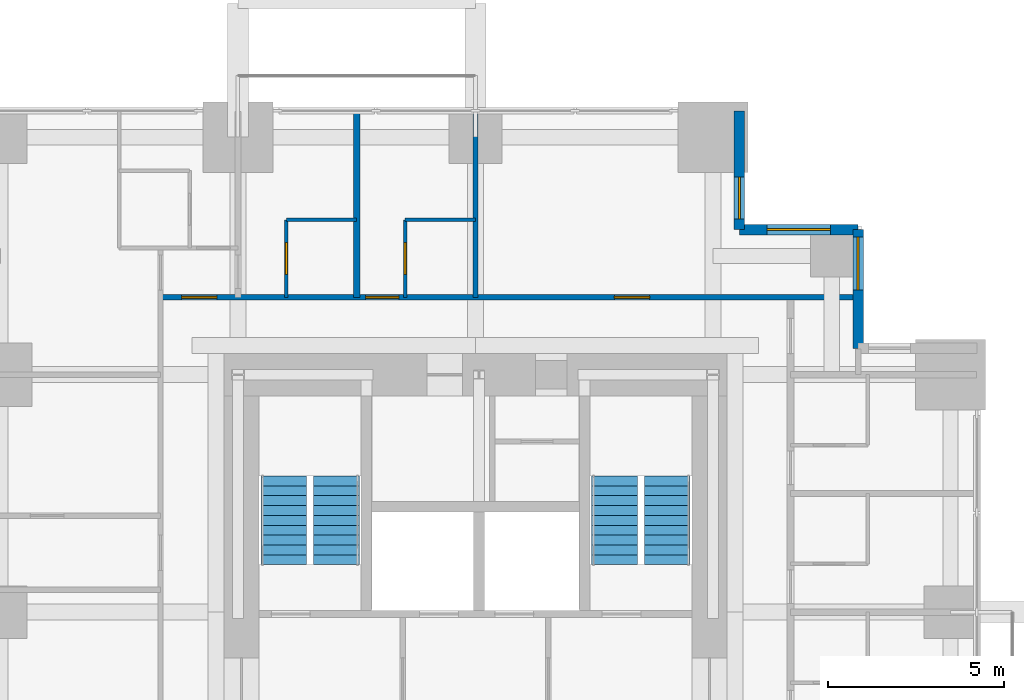
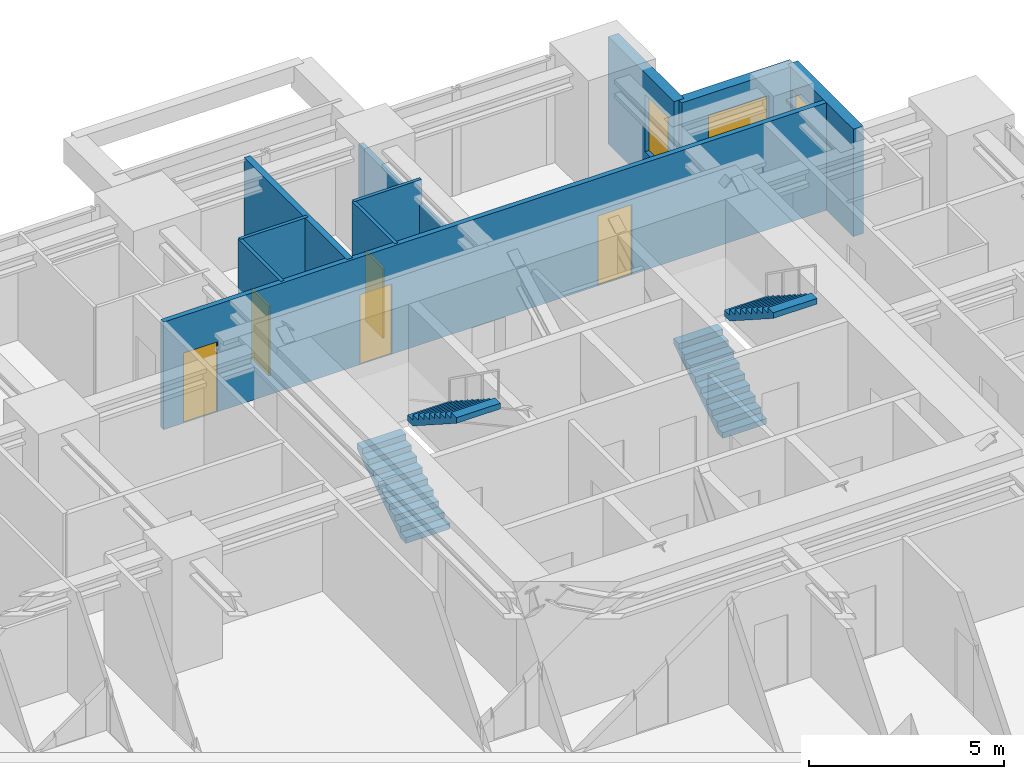
# One storey, part 9 of 10: 10 walls, 5 doors, 4 stair flights, 3 windows, 8 openings, 2 elements without a shape of their own.
"""IFC4 building model written with IfcOpenShell, lengths in metres."""

from ifc_helpers import new_model, si_unit, direction, frame, frame_2d, origin, place, context, subcontext, project, spatial, polyline, rectangle, outline, extrude, material, layer, layer_set, type_object, element, fill, aggregate, save


model = new_model("IFC4")

# Units and contexts
model_context = context("Model", 3, precision=1e-05, world=origin(), true_north=direction((0.0, 1.0)))
body_context = subcontext(model_context, "Body", "Model", "MODEL_VIEW")
ifc_project = project(units=[si_unit("LENGTHUNIT", "METRE"), si_unit("AREAUNIT", "SQUARE_METRE"), si_unit("VOLUMEUNIT", "CUBIC_METRE"), si_unit("PLANEANGLEUNIT", "RADIAN"), si_unit("MASSUNIT", "GRAM", prefix="KILO")], contexts=[model_context])

# Site, building, storey
site_placement = place(None, origin())
site = spatial("IfcSite", under=ifc_project, at=site_placement, CompositionType="ELEMENT")
building_placement = place(site_placement, origin())
building = spatial("IfcBuilding", under=site, at=building_placement, Name="Nyansa Garden Tower", CompositionType="ELEMENT")
storey_placement = place(building_placement, frame((0.0, 0.0, 145.800048828125)))
storey = spatial("IfcBuildingStorey", under=building, at=storey_placement, Name="L39", CompositionType="ELEMENT", Elevation=145.800048828125)

# Wall
ifc_material_1 = material(Name="Dense blockwork, plastered both sides, 55 dB", Category="masonry")
ifc_layer_1 = layer(ifc_material_1, 0.175048828125)
ifc_layer_set_1 = layer_set([ifc_layer_1], Name="Acoustic party wall PW175")
wall_type_1 = type_object("IfcWallType", Name="Acoustic party wall PW175", PredefinedType="PARTITIONING", material=ifc_layer_set_1)
wall_1_placement = place(storey_placement, frame((16.875, 29.199951171875, 0.0), z_axis=(0.0, 0.0, 1.0), x_axis=(0.0, 1.0, 0.0)))
element("IfcWall", 1, at=wall_1_placement, inside=storey, type_object=wall_type_1, Name="Party wall", PredefinedType="PARTITIONING", context=body_context, shape_type="SweptSolid", body=[
    extrude(rectangle(XDim=5.283935546875, YDim=0.175048828125, at=frame_2d((2.64208984375, 0.0))), origin(), (0.0, 0.0, 1.0), 3.375),
])

# Wall, openings, doors
ifc_material_2 = material(Name="Blockwork, plastered both sides", Category="masonry")
ifc_layer_2 = layer(ifc_material_2, 0.14990234375)
ifc_layer_set_2 = layer_set([ifc_layer_2], Name="Partition PW150")
wall_type_2 = type_object("IfcWallType", Name="Partition PW150", PredefinedType="PARTITIONING", material=ifc_layer_set_2)
wall_2_placement = place(storey_placement, frame((11.300048828125, 29.199951171875, 0.0), z_axis=(0.0, 0.0, 1.0), x_axis=(1.0, 0.0, 0.0)))
wall_2 = element("IfcWall", 2, at=wall_2_placement, inside=storey, type_object=wall_type_2, Name="Partition", PredefinedType="PARTITIONING", context=body_context, shape_type="SweptSolid", body=[
    extrude(rectangle(XDim=19.808837890625, YDim=0.14990234375, at=frame_2d((9.904296875, 0.0))), origin(), (0.0, 0.0, 1.0), 3.375),
])
opening_1_placement = place(wall_2_placement, frame((12.89990234375, 0.0, 0.0)))
opening_1 = element("IfcOpeningElement", 3, at=opening_1_placement, cuts=wall_2, Name="Opening D03", PredefinedType="OPENING", context=body_context, shape_type="SweptSolid", body=[
    extrude(rectangle(XDim=1.0, YDim=2.199951171875, at=frame_2d((0.5, 1.10009765625))), frame((0.0, 0.0849609375, 0.0), z_axis=(0.0, -1.0, 0.0), x_axis=(1.0, 0.0, 0.0)), (0.0, 0.0, 1.0), 0.169921875),
])
opening_2_placement = place(wall_2_placement, frame((5.824951171875, 0.0, 0.0)))
opening_2 = element("IfcOpeningElement", 4, at=opening_2_placement, cuts=wall_2, Name="Opening D14", PredefinedType="OPENING", context=body_context, shape_type="SweptSolid", body=[
    extrude(rectangle(XDim=0.949951171875, YDim=2.199951171875, at=frame_2d((0.47509765625, 1.10009765625))), frame((0.0, 0.0849609375, 0.0), z_axis=(0.0, -1.0, 0.0), x_axis=(1.0, 0.0, 0.0)), (0.0, 0.0, 1.0), 0.169921875),
])
opening_3_placement = place(wall_2_placement, frame((0.60009765625, 0.0, 0.0)))
opening_3 = element("IfcOpeningElement", 5, at=opening_3_placement, cuts=wall_2, Name="Opening D03", PredefinedType="OPENING", context=body_context, shape_type="SweptSolid", body=[
    extrude(rectangle(XDim=1.0, YDim=2.199951171875, at=frame_2d((0.5, 1.10009765625))), frame((0.0, 0.0849609375, 0.0), z_axis=(0.0, -1.0, 0.0), x_axis=(1.0, 0.0, 0.0)), (0.0, 0.0, 1.0), 0.169921875),
])
ifc_material_3 = material(Name="Timber flush door, 60 minute fire resisting", Category="wood")
door_type_1 = type_object("IfcDoorType", Name="Cluster entrance door D03 1000x2200", OperationType="SINGLE_SWING_LEFT", PredefinedType="DOOR", material=ifc_material_3)
door_1_placement = place(opening_1_placement, origin())
door_1 = element("IfcDoor", 6, at=door_1_placement, inside=storey, type_object=door_type_1, Name="Door L39-037", OperationType="SINGLE_SWING_LEFT", OverallHeight=2.199951171875, OverallWidth=1.0, PredefinedType="DOOR", context=body_context, shape_type="SweptSolid", body=[
    extrude(rectangle(XDim=1.0, YDim=2.199951171875, at=frame_2d((0.5, 1.10009765625))), frame((0.0, 0.02490234375, 0.0), z_axis=(0.0, -1.0, 0.0), x_axis=(1.0, 0.0, 0.0)), (0.0, 0.0, 1.0), 0.050048828125),
])
fill(opening_1, door_1)
door_2_placement = place(opening_3_placement, origin())
door_2 = element("IfcDoor", 7, at=door_2_placement, inside=storey, type_object=door_type_1, Name="Door L39-044", OperationType="SINGLE_SWING_LEFT", OverallHeight=2.199951171875, OverallWidth=1.0, PredefinedType="DOOR", context=body_context, shape_type="SweptSolid", body=[
    extrude(rectangle(XDim=1.0, YDim=2.199951171875, at=frame_2d((0.5, 1.10009765625))), frame((0.0, 0.02490234375, 0.0), z_axis=(0.0, -1.0, 0.0), x_axis=(1.0, 0.0, 0.0)), (0.0, 0.0, 1.0), 0.050048828125),
])
fill(opening_3, door_2)
ifc_material_4 = material(Name="Timber flush door, 60 minute fire resisting, self-closing", Category="wood")
door_type_2 = type_object("IfcDoorType", Name="Studio entrance door D14 950x2200", OperationType="SINGLE_SWING_LEFT", PredefinedType="DOOR", material=ifc_material_4)
door_3_placement = place(opening_2_placement, origin())
door_3 = element("IfcDoor", 8, at=door_3_placement, inside=storey, type_object=door_type_2, Name="Door L39-042", OperationType="SINGLE_SWING_LEFT", OverallHeight=2.199951171875, OverallWidth=0.949951171875, PredefinedType="DOOR", context=body_context, shape_type="SweptSolid", body=[
    extrude(rectangle(XDim=0.949951171875, YDim=2.199951171875, at=frame_2d((0.47509765625, 1.10009765625))), frame((0.0, 0.02490234375, 0.0), z_axis=(0.0, -1.0, 0.0), x_axis=(1.0, 0.0, 0.0)), (0.0, 0.0, 1.0), 0.050048828125),
])
fill(opening_2, door_3)

# Wall
wall_3_placement = place(storey_placement, frame((20.25, 29.199951171875, 0.0), z_axis=(0.0, 0.0, 1.0), x_axis=(0.0, 1.0, 0.0)))
element("IfcWall", 9, at=wall_3_placement, inside=storey, type_object=wall_type_2, Name="Partition", PredefinedType="PARTITIONING", context=body_context, shape_type="SweptSolid", body=[
    extrude(rectangle(XDim=5.283935546875, YDim=0.14990234375, at=frame_2d((2.64208984375, 0.0))), origin(), (0.0, 0.0, 1.0), 2.60986328125),
])

# Wall, opening, window
ifc_material_5 = material(Name="Turquoise glazed tile on concrete blockwork", Category="masonry")
ifc_layer_3 = layer(ifc_material_5, 0.300048828125)
ifc_layer_set_3 = layer_set([ifc_layer_3], Name="Tiled corner wall TW300")
wall_type_3 = type_object("IfcWallType", Name="Tiled corner wall TW300", PredefinedType="SOLIDWALL", material=ifc_layer_set_3)
wall_4_placement = place(storey_placement, frame((31.125, 27.75, 0.0), z_axis=(0.0, 0.0, 1.0), x_axis=(0.0, 1.0, 0.0)))
wall_4 = element("IfcWall", 10, at=wall_4_placement, inside=storey, type_object=wall_type_3, Name="Tiled corner wall L39", PredefinedType="SOLIDWALL", context=body_context, shape_type="SweptSolid", body=[
    extrude(rectangle(XDim=3.375, YDim=0.300048828125, at=frame_2d((1.6875, 0.0))), origin(), (0.0, 0.0, 1.0), 3.375),
])
opening_4_placement = place(wall_4_placement, frame((1.66259765625, 0.0, 0.89990234375)))
opening_4 = element("IfcOpeningElement", 11, at=opening_4_placement, cuts=wall_4, Name="Opening W1", PredefinedType="OPENING", context=body_context, shape_type="SweptSolid", body=[
    extrude(rectangle(XDim=1.5, YDim=1.800048828125, at=frame_2d((0.75, 0.89990234375))), frame((0.0, 0.159912109375, 0.0), z_axis=(0.0, -1.0, 0.0), x_axis=(1.0, 0.0, 0.0)), (0.0, 0.0, 1.0), 0.320068359375),
])
ifc_material_6 = material(Name="Black aluminium frame, dark tinted double glazing", Category="aluminium")
window_type_1 = type_object("IfcWindowType", Name="Window W1 1500x1800", PartitioningType="SINGLE_PANEL", PredefinedType="WINDOW", material=ifc_material_6)
window_1_placement = place(opening_4_placement, origin())
window_1 = element("IfcWindow", 12, at=window_1_placement, inside=storey, type_object=window_type_1, Name="Corner window L39", OverallHeight=1.800048828125, OverallWidth=1.5, PartitioningType="SINGLE_PANEL", PredefinedType="WINDOW", context=body_context, shape_type="SweptSolid", body=[
    extrude(rectangle(XDim=1.5, YDim=1.800048828125, at=frame_2d((0.75, 0.89990234375))), frame((0.0, 0.030029296875, 0.0), z_axis=(0.0, -1.0, 0.0), x_axis=(1.0, 0.0, 0.0)), (0.0, 0.0, 1.0), 0.06005859375),
])
fill(opening_4, window_1)

wall_5_placement = place(storey_placement, frame((31.125, 31.125, 0.0), z_axis=(0.0, 0.0, 1.0), x_axis=(-1.0, 0.0, 0.0)))
wall_5 = element("IfcWall", 13, at=wall_5_placement, inside=storey, type_object=wall_type_3, Name="Tiled corner wall L39", PredefinedType="SOLIDWALL", context=body_context, shape_type="SweptSolid", body=[
    extrude(rectangle(XDim=3.375, YDim=0.300048828125, at=frame_2d((1.6875, 0.0))), origin(), (0.0, 0.0, 1.0), 3.375),
])
opening_5_placement = place(wall_5_placement, frame((0.78759765625, 0.0, 0.60009765625)))
opening_5 = element("IfcOpeningElement", 14, at=opening_5_placement, cuts=wall_5, Name="Opening W2", PredefinedType="OPENING", context=body_context, shape_type="SweptSolid", body=[
    extrude(rectangle(XDim=1.800048828125, YDim=2.10009765625, at=frame_2d((0.89990234375, 1.050048828125))), frame((0.0, 0.159912109375, 0.0), z_axis=(0.0, -1.0, 0.0), x_axis=(1.0, 0.0, 0.0)), (0.0, 0.0, 1.0), 0.320068359375),
])
ifc_material_7 = material(Name="Black aluminium frame, dark tinted double glazing", Category="aluminium")
window_type_2 = type_object("IfcWindowType", Name="Window W2 1800x2100", PartitioningType="SINGLE_PANEL", PredefinedType="WINDOW", material=ifc_material_7)
window_2_placement = place(opening_5_placement, origin())
window_2 = element("IfcWindow", 15, at=window_2_placement, inside=storey, type_object=window_type_2, Name="Corner window L39", OverallHeight=2.10009765625, OverallWidth=1.800048828125, PartitioningType="SINGLE_PANEL", PredefinedType="WINDOW", context=body_context, shape_type="SweptSolid", body=[
    extrude(rectangle(XDim=1.800048828125, YDim=2.10009765625, at=frame_2d((0.89990234375, 1.050048828125))), frame((0.0, 0.030029296875, 0.0), z_axis=(0.0, -1.0, 0.0), x_axis=(1.0, 0.0, 0.0)), (0.0, 0.0, 1.0), 0.06005859375),
])
fill(opening_5, window_2)

wall_6_placement = place(storey_placement, frame((27.75, 31.125, 0.0), z_axis=(0.0, 0.0, 1.0), x_axis=(0.0, 1.0, 0.0)))
wall_6 = element("IfcWall", 16, at=wall_6_placement, inside=storey, type_object=wall_type_3, Name="Tiled corner wall L39", PredefinedType="SOLIDWALL", context=body_context, shape_type="SweptSolid", body=[
    extrude(rectangle(XDim=3.375, YDim=0.300048828125, at=frame_2d((1.6875, 0.0))), origin(), (0.0, 0.0, 1.0), 3.375),
])
opening_6_placement = place(wall_6_placement, frame((0.29248046875, 0.0, 0.89990234375)))
opening_6 = element("IfcOpeningElement", 17, at=opening_6_placement, cuts=wall_6, Name="Opening W4", PredefinedType="OPENING", context=body_context, shape_type="SweptSolid", body=[
    extrude(rectangle(XDim=1.199951171875, YDim=1.800048828125, at=frame_2d((0.60009765625, 0.89990234375))), frame((0.0, 0.159912109375, 0.0), z_axis=(0.0, -1.0, 0.0), x_axis=(1.0, 0.0, 0.0)), (0.0, 0.0, 1.0), 0.320068359375),
])
ifc_material_8 = material(Name="Black aluminium frame, dark tinted double glazing", Category="aluminium")
window_type_3 = type_object("IfcWindowType", Name="Window W4 1200x1800", PartitioningType="SINGLE_PANEL", PredefinedType="WINDOW", material=ifc_material_8)
window_3_placement = place(opening_6_placement, origin())
window_3 = element("IfcWindow", 18, at=window_3_placement, inside=storey, type_object=window_type_3, Name="Corner window L39", OverallHeight=1.800048828125, OverallWidth=1.199951171875, PartitioningType="SINGLE_PANEL", PredefinedType="WINDOW", context=body_context, shape_type="SweptSolid", body=[
    extrude(rectangle(XDim=1.199951171875, YDim=1.800048828125, at=frame_2d((0.60009765625, 0.89990234375))), frame((0.0, 0.030029296875, 0.0), z_axis=(0.0, -1.0, 0.0), x_axis=(1.0, 0.0, 0.0)), (0.0, 0.0, 1.0), 0.06005859375),
])
fill(opening_6, window_3)

# Wall, opening, door
ifc_material_9 = material(Name="Moisture resistant board on steel studs, tiled", Category="steel")
ifc_layer_4 = layer(ifc_material_9, 0.10009765625)
ifc_layer_set_4 = layer_set([ifc_layer_4], Name="Wet wall PW100")
wall_type_4 = type_object("IfcWallType", Name="Wet wall PW100", PredefinedType="PARTITIONING", material=ifc_layer_set_4)
wall_7_placement = place(storey_placement, frame((14.875, 29.199951171875, 0.0), z_axis=(0.0, 0.0, 1.0), x_axis=(0.0, 1.0, 0.0)))
wall_7 = element("IfcWall", 19, at=wall_7_placement, inside=storey, type_object=wall_type_4, Name="Wet wall", PredefinedType="PARTITIONING", context=body_context, shape_type="SweptSolid", body=[
    extrude(rectangle(XDim=2.199951171875, YDim=0.10009765625, at=frame_2d((1.10009765625, 0.0))), origin(), (0.0, 0.0, 1.0), 3.375),
])
opening_7_placement = place(wall_7_placement, frame((0.64990234375, 0.0, 0.0)))
opening_7 = element("IfcOpeningElement", 20, at=opening_7_placement, cuts=wall_7, Name="Opening D02", PredefinedType="OPENING", context=body_context, shape_type="SweptSolid", body=[
    extrude(rectangle(XDim=0.89990234375, YDim=2.199951171875, at=frame_2d((0.449951171875, 1.10009765625))), frame((0.0, 0.06005859375, 0.0), z_axis=(0.0, -1.0, 0.0), x_axis=(1.0, 0.0, 0.0)), (0.0, 0.0, 1.0), 0.1201171875),
])
ifc_material_10 = material(Name="Timber flush door", Category="wood")
door_type_3 = type_object("IfcDoorType", Name="En-suite door D02 900x2200", OperationType="SINGLE_SWING_RIGHT", PredefinedType="DOOR", material=ifc_material_10)
door_4_placement = place(opening_7_placement, origin())
door_4 = element("IfcDoor", 21, at=door_4_placement, inside=storey, type_object=door_type_3, Name="Door L39-041", OperationType="SINGLE_SWING_RIGHT", OverallHeight=2.199951171875, OverallWidth=0.89990234375, PredefinedType="DOOR", context=body_context, shape_type="SweptSolid", body=[
    extrude(rectangle(XDim=0.89990234375, YDim=2.199951171875, at=frame_2d((0.449951171875, 1.10009765625))), frame((0.0, 0.02490234375, 0.0), z_axis=(0.0, -1.0, 0.0), x_axis=(1.0, 0.0, 0.0)), (0.0, 0.0, 1.0), 0.050048828125),
])
fill(opening_7, door_4)

# Wall
wall_8_placement = place(storey_placement, frame((14.875, 31.39990234375, 0.0), z_axis=(0.0, 0.0, 1.0), x_axis=(1.0, 0.0, 0.0)))
element("IfcWall", 22, at=wall_8_placement, inside=storey, type_object=wall_type_4, Name="Wet wall", PredefinedType="PARTITIONING", context=body_context, shape_type="SweptSolid", body=[
    extrude(rectangle(XDim=2.0, YDim=0.10009765625, at=frame_2d((1.0, 0.0))), origin(), (0.0, 0.0, 1.0), 3.375),
])

# Wall, opening, door
wall_9_placement = place(storey_placement, frame((18.25, 29.199951171875, 0.0), z_axis=(0.0, 0.0, 1.0), x_axis=(0.0, 1.0, 0.0)))
wall_9 = element("IfcWall", 23, at=wall_9_placement, inside=storey, type_object=wall_type_4, Name="Wet wall", PredefinedType="PARTITIONING", context=body_context, shape_type="SweptSolid", body=[
    extrude(rectangle(XDim=2.199951171875, YDim=0.10009765625, at=frame_2d((1.10009765625, 0.0))), origin(), (0.0, 0.0, 1.0), 3.375),
])
opening_8_placement = place(wall_9_placement, frame((0.64990234375, 0.0, 0.0)))
opening_8 = element("IfcOpeningElement", 24, at=opening_8_placement, cuts=wall_9, Name="Opening D02", PredefinedType="OPENING", context=body_context, shape_type="SweptSolid", body=[
    extrude(rectangle(XDim=0.89990234375, YDim=2.199951171875, at=frame_2d((0.449951171875, 1.10009765625))), frame((0.0, 0.06005859375, 0.0), z_axis=(0.0, -1.0, 0.0), x_axis=(1.0, 0.0, 0.0)), (0.0, 0.0, 1.0), 0.1201171875),
])
door_5_placement = place(opening_8_placement, origin())
door_5 = element("IfcDoor", 25, at=door_5_placement, inside=storey, type_object=door_type_3, Name="Door L39-043", OperationType="SINGLE_SWING_RIGHT", OverallHeight=2.199951171875, OverallWidth=0.89990234375, PredefinedType="DOOR", context=body_context, shape_type="SweptSolid", body=[
    extrude(rectangle(XDim=0.89990234375, YDim=2.199951171875, at=frame_2d((0.449951171875, 1.10009765625))), frame((0.0, 0.02490234375, 0.0), z_axis=(0.0, -1.0, 0.0), x_axis=(1.0, 0.0, 0.0)), (0.0, 0.0, 1.0), 0.050048828125),
])
fill(opening_8, door_5)

# Wall
wall_10_placement = place(storey_placement, frame((18.25, 31.39990234375, 0.0), z_axis=(0.0, 0.0, 1.0), x_axis=(1.0, 0.0, 0.0)))
element("IfcWall", 26, at=wall_10_placement, inside=storey, type_object=wall_type_4, Name="Wet wall", PredefinedType="PARTITIONING", context=body_context, shape_type="SweptSolid", body=[
    extrude(rectangle(XDim=2.0, YDim=0.10009765625, at=frame_2d((1.0, 0.0))), origin(), (0.0, 0.0, 1.0), 3.375),
])

# Stair, stair flights
ifc_material_11 = material(Name="Precast concrete C40/50", Category="concrete")
stair_type_1 = type_object("IfcStairType", Name="Stair S1 180x280", PredefinedType="HALF_TURN_STAIR", material=ifc_material_11)
stair_1_placement = place(storey_placement, origin())
stair_1 = element("IfcStair", 27, at=stair_1_placement, inside=storey, type_object=stair_type_1, Name="Stair S1 L39", PredefinedType="HALF_TURN_STAIR")
ifc_material_12 = material(Name="Precast concrete C40/50", Category="concrete")
stair_flight_type_1 = type_object("IfcStairFlightType", Name="Stair flight S1 180x280x10", PredefinedType="STRAIGHT", material=ifc_material_12)
stair_flight_1_placement = place(storey_placement, frame((14.800048828125, 21.60009765625, 0.0), z_axis=(0.0, 0.0, 1.0), x_axis=(0.0, 1.0, 0.0)))
stair_flight_1 = element("IfcStairFlight", 28, at=stair_flight_1_placement, type_object=stair_flight_type_1, Name="S1 flight 1", NumberOfRisers=10, NumberOfTreads=9, PredefinedType="STRAIGHT", RiserHeight=0.18, TreadLength=0.28, context=body_context, shape_type="SweptSolid", body=[
    extrude(outline(polyline([(0.0, 0.0), (0.0, 0.179931640625), (0.280029296875, 0.179931640625), (0.280029296875, 0.360107421875), (0.56005859375, 0.360107421875), (0.56005859375, 0.5400390625), (0.840087890625, 0.5400390625), (0.840087890625, 0.719970703125), (1.1201171875, 0.719970703125), (1.1201171875, 0.89990234375), (1.39990234375, 0.89990234375), (1.39990234375, 1.080078125), (1.679931640625, 1.080078125), (1.679931640625, 1.260009765625), (1.9599609375, 1.260009765625), (1.9599609375, 1.43994140625), (2.239990234375, 1.43994140625), (2.239990234375, 1.6201171875), (2.52001953125, 1.6201171875), (2.52001953125, 1.800048828125), (2.52001953125, 1.44189453125), (0.277099609375, 0.0), (0.0, 0.0)])), frame((0.0, 0.64990234375, 0.0), z_axis=(0.0, -1.0, 0.0), x_axis=(1.0, 0.0, 0.0)), (0.0, 0.0, 1.0), 1.300048828125),
])
stair_flight_2_placement = place(storey_placement, frame((16.300048828125, 24.1201171875, 1.800048828125), z_axis=(0.0, 0.0, 1.0), x_axis=(0.0, -1.0, 0.0)))
stair_flight_2 = element("IfcStairFlight", 29, at=stair_flight_2_placement, type_object=stair_flight_type_1, Name="S1 flight 2", NumberOfRisers=10, NumberOfTreads=9, PredefinedType="STRAIGHT", RiserHeight=0.18, TreadLength=0.28, context=body_context, shape_type="SweptSolid", body=[
    extrude(outline(polyline([(0.0, 0.0), (0.0, 0.179931640625), (0.280029296875, 0.179931640625), (0.280029296875, 0.360107421875), (0.56005859375, 0.360107421875), (0.56005859375, 0.5400390625), (0.840087890625, 0.5400390625), (0.840087890625, 0.719970703125), (1.1201171875, 0.719970703125), (1.1201171875, 0.89990234375), (1.39990234375, 0.89990234375), (1.39990234375, 1.080078125), (1.679931640625, 1.080078125), (1.679931640625, 1.260009765625), (1.9599609375, 1.260009765625), (1.9599609375, 1.43994140625), (2.239990234375, 1.43994140625), (2.239990234375, 1.6201171875), (2.52001953125, 1.6201171875), (2.52001953125, 1.800048828125), (2.52001953125, 1.44189453125), (0.277099609375, 0.0), (0.0, 0.0)])), frame((0.0, 0.64990234375, 0.0), z_axis=(0.0, -1.0, 0.0), x_axis=(1.0, 0.0, 0.0)), (0.0, 0.0, 1.0), 1.300048828125),
])
aggregate(stair_1, [stair_flight_1, stair_flight_2])

ifc_material_13 = material(Name="Precast concrete C40/50", Category="concrete")
stair_type_2 = type_object("IfcStairType", Name="Stair S2 180x280", PredefinedType="HALF_TURN_STAIR", material=ifc_material_13)
stair_2_placement = place(storey_placement, origin())
stair_2 = element("IfcStair", 30, at=stair_2_placement, inside=storey, type_object=stair_type_2, Name="Stair S2 L39", PredefinedType="HALF_TURN_STAIR")
ifc_material_14 = material(Name="Precast concrete C40/50", Category="concrete")
stair_flight_type_2 = type_object("IfcStairFlightType", Name="Stair flight S2 180x280x10", PredefinedType="STRAIGHT", material=ifc_material_14)
stair_flight_3_placement = place(storey_placement, frame((24.199951171875, 21.60009765625, 0.0), z_axis=(0.0, 0.0, 1.0), x_axis=(0.0, 1.0, 0.0)))
stair_flight_3 = element("IfcStairFlight", 31, at=stair_flight_3_placement, type_object=stair_flight_type_2, Name="S2 flight 1", NumberOfRisers=10, NumberOfTreads=9, PredefinedType="STRAIGHT", RiserHeight=0.18, TreadLength=0.28, context=body_context, shape_type="SweptSolid", body=[
    extrude(outline(polyline([(0.0, 0.0), (0.0, 0.179931640625), (0.280029296875, 0.179931640625), (0.280029296875, 0.360107421875), (0.56005859375, 0.360107421875), (0.56005859375, 0.5400390625), (0.840087890625, 0.5400390625), (0.840087890625, 0.719970703125), (1.1201171875, 0.719970703125), (1.1201171875, 0.89990234375), (1.39990234375, 0.89990234375), (1.39990234375, 1.080078125), (1.679931640625, 1.080078125), (1.679931640625, 1.260009765625), (1.9599609375, 1.260009765625), (1.9599609375, 1.43994140625), (2.239990234375, 1.43994140625), (2.239990234375, 1.6201171875), (2.52001953125, 1.6201171875), (2.52001953125, 1.800048828125), (2.52001953125, 1.44189453125), (0.277099609375, 0.0), (0.0, 0.0)])), frame((0.0, 0.64990234375, 0.0), z_axis=(0.0, -1.0, 0.0), x_axis=(1.0, 0.0, 0.0)), (0.0, 0.0, 1.0), 1.300048828125),
])
stair_flight_4_placement = place(storey_placement, frame((25.699951171875, 24.1201171875, 1.800048828125), z_axis=(0.0, 0.0, 1.0), x_axis=(0.0, -1.0, 0.0)))
stair_flight_4 = element("IfcStairFlight", 32, at=stair_flight_4_placement, type_object=stair_flight_type_2, Name="S2 flight 2", NumberOfRisers=10, NumberOfTreads=9, PredefinedType="STRAIGHT", RiserHeight=0.18, TreadLength=0.28, context=body_context, shape_type="SweptSolid", body=[
    extrude(outline(polyline([(0.0, 0.0), (0.0, 0.179931640625), (0.280029296875, 0.179931640625), (0.280029296875, 0.360107421875), (0.56005859375, 0.360107421875), (0.56005859375, 0.5400390625), (0.840087890625, 0.5400390625), (0.840087890625, 0.719970703125), (1.1201171875, 0.719970703125), (1.1201171875, 0.89990234375), (1.39990234375, 0.89990234375), (1.39990234375, 1.080078125), (1.679931640625, 1.080078125), (1.679931640625, 1.260009765625), (1.9599609375, 1.260009765625), (1.9599609375, 1.43994140625), (2.239990234375, 1.43994140625), (2.239990234375, 1.6201171875), (2.52001953125, 1.6201171875), (2.52001953125, 1.800048828125), (2.52001953125, 1.44189453125), (0.277099609375, 0.0), (0.0, 0.0)])), frame((0.0, 0.64990234375, 0.0), z_axis=(0.0, -1.0, 0.0), x_axis=(1.0, 0.0, 0.0)), (0.0, 0.0, 1.0), 1.300048828125),
])
aggregate(stair_2, [stair_flight_3, stair_flight_4])

save(model, "model.ifc")
